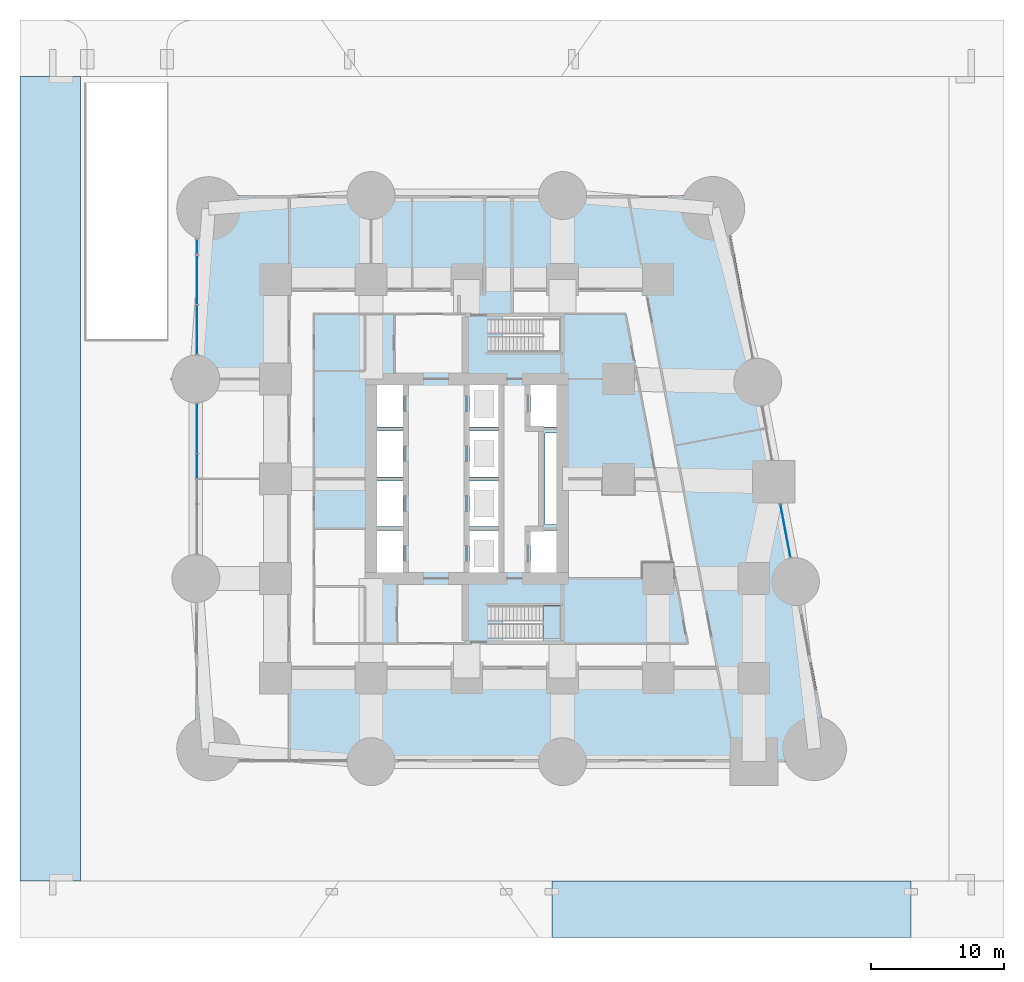
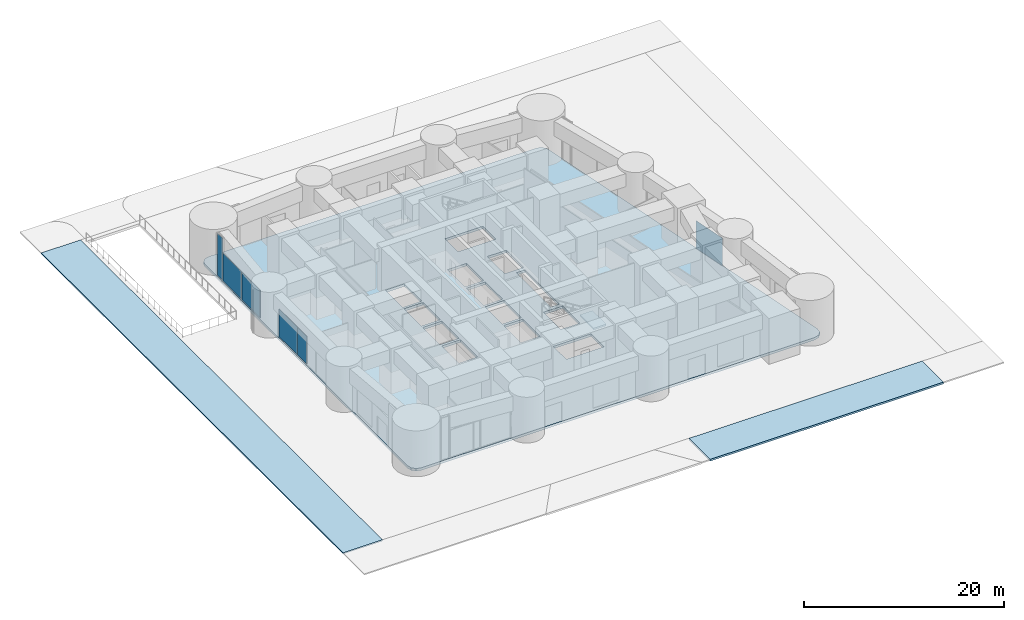
# One storey, part 7 of 16: 6 plates, 4 slabs, 5 elements without a shape of their own.
"""IFC4 building model written with IfcOpenShell, lengths in metres."""

from ifc_helpers import new_model, si_unit, direction, frame, origin, origin_2d, place, context, subcontext, project, spatial, polyline, rectangle, outline, extrude, material, layer, layer_set, type_object, element, aggregate, save


model = new_model("IFC4")

# Units and contexts
model_context = context("Model", 3, precision=1e-05, world=origin(), true_north=direction((0.0, 1.0)))
body_context = subcontext(model_context, "Body", "Model", "MODEL_VIEW")
ifc_project = project(units=[si_unit("LENGTHUNIT", "METRE"), si_unit("AREAUNIT", "SQUARE_METRE"), si_unit("VOLUMEUNIT", "CUBIC_METRE"), si_unit("PLANEANGLEUNIT", "RADIAN"), si_unit("MASSUNIT", "GRAM", prefix="KILO")], contexts=[model_context])

# Site, building, storey
site_placement = place(None, origin())
site = spatial("IfcSite", under=ifc_project, at=site_placement, CompositionType="ELEMENT")
building_placement = place(site_placement, origin())
building = spatial("IfcBuilding", under=site, at=building_placement, Name="Sheger Commons Tower", CompositionType="ELEMENT")
storey_placement = place(building_placement, origin())
storey = spatial("IfcBuildingStorey", under=building, at=storey_placement, Name="L00", CompositionType="ELEMENT", Elevation=0.0)

# Curtain wall, plate
ifc_material_1 = material(Name="Black aluminium curtain wall, dark tinted glazing", Category="aluminium")
curtain_wall_type = type_object("IfcCurtainWallType", Name="CURTAIN WALL CW1 SHOPFRONT", PredefinedType="USERDEFINED", material=ifc_material_1)
curtain_wall_1_placement = place(storey_placement, origin())
curtain_wall_1 = element("IfcCurtainWall", 1, at=curtain_wall_1_placement, inside=storey, type_object=curtain_wall_type, Name="Curtain Wall Cw1 Shopfront E1 L00", ObjectType="STICK CURTAIN WALL", PredefinedType="USERDEFINED")
ifc_material_2 = material(Name="Dark tinted double glazing, laminated safety glass", Category="glass")
ifc_layer_1 = layer(ifc_material_2, 0.0380859375)
ifc_layer_set_1 = layer_set([ifc_layer_1], Name="GLAZED PANEL 38")
plate_type = type_object("IfcPlateType", Name="GLAZED PANEL 38", PredefinedType="CURTAIN_PANEL", material=ifc_layer_set_1)
plate_1_placement = place(storey_placement, frame((45.56640625, 18.58349609375, 0.06494140625), z_axis=(0.0, 0.0, 1.0), x_axis=(-0.185717037026, 0.982603267936, 0.0)))
plate_1 = element("IfcPlate", 2, at=plate_1_placement, type_object=plate_type, Name="CW1 panel 1.1", PredefinedType="CURTAIN_PANEL", context=body_context, shape_type="SweptSolid", body=[
    extrude(rectangle(XDim=4.0537109375, YDim=0.0380859375, at=origin_2d()), origin(), (0.0, 0.0, 1.0), 3.3701171875),
])
aggregate(curtain_wall_1, [plate_1])

curtain_wall_2_placement = place(storey_placement, origin())
curtain_wall_2 = element("IfcCurtainWall", 3, at=curtain_wall_2_placement, inside=storey, type_object=curtain_wall_type, Name="Curtain Wall Cw1 Shopfront W1 L00", ObjectType="STICK CURTAIN WALL", PredefinedType="USERDEFINED")
plate_2_placement = place(storey_placement, frame((1.300048828125, 39.945556640625, 0.06494140625), z_axis=(0.0, 0.0, 1.0), x_axis=(0.0, -1.0, 0.0)))
plate_2 = element("IfcPlate", 4, at=plate_2_placement, type_object=plate_type, Name="CW1 panel 1.1", PredefinedType="CURTAIN_PANEL", context=body_context, shape_type="SweptSolid", body=[
    extrude(rectangle(XDim=1.054931640625, YDim=0.0380859375, at=origin_2d()), origin(), (0.0, 0.0, 1.0), 5.169921875),
])
aggregate(curtain_wall_2, [plate_2])

# Curtain wall, plates
curtain_wall_3_placement = place(storey_placement, origin())
curtain_wall_3 = element("IfcCurtainWall", 5, at=curtain_wall_3_placement, inside=storey, type_object=curtain_wall_type, Name="Curtain Wall Cw1 Shopfront W1 L00", ObjectType="STICK CURTAIN WALL", PredefinedType="USERDEFINED")
plate_3_placement = place(storey_placement, frame((1.300048828125, 37.44873046875, 0.06494140625), z_axis=(0.0, 0.0, 1.0), x_axis=(0.0, -1.0, 0.0)))
plate_3 = element("IfcPlate", 6, at=plate_3_placement, type_object=plate_type, Name="CW1 panel 1.1", PredefinedType="CURTAIN_PANEL", context=body_context, shape_type="SweptSolid", body=[
    extrude(rectangle(XDim=3.678466796875, YDim=0.0380859375, at=origin_2d()), origin(), (0.0, 0.0, 1.0), 3.3701171875),
])
plate_4_placement = place(storey_placement, frame((1.300048828125, 33.705322265625, 0.06494140625), z_axis=(0.0, 0.0, 1.0), x_axis=(0.0, -1.0, 0.0)))
plate_4 = element("IfcPlate", 7, at=plate_4_placement, type_object=plate_type, Name="CW1 panel 2.1", PredefinedType="CURTAIN_PANEL", context=body_context, shape_type="SweptSolid", body=[
    extrude(rectangle(XDim=3.678466796875, YDim=0.0380859375, at=origin_2d()), origin(), (0.0, 0.0, 1.0), 3.3701171875),
])
aggregate(curtain_wall_3, [plate_3, plate_4])

curtain_wall_4_placement = place(storey_placement, origin())
curtain_wall_4 = element("IfcCurtainWall", 8, at=curtain_wall_4_placement, inside=storey, type_object=curtain_wall_type, Name="Curtain Wall Cw1 Shopfront W1 L00", ObjectType="STICK CURTAIN WALL", PredefinedType="USERDEFINED")
plate_5_placement = place(storey_placement, frame((1.300048828125, 26.283203125, 0.06494140625), z_axis=(0.0, 0.0, 1.0), x_axis=(0.0, -1.0, 0.0)))
plate_5 = element("IfcPlate", 9, at=plate_5_placement, type_object=plate_type, Name="CW1 panel 1.1", PredefinedType="CURTAIN_PANEL", context=body_context, shape_type="SweptSolid", body=[
    extrude(rectangle(XDim=3.701416015625, YDim=0.0380859375, at=origin_2d()), origin(), (0.0, 0.0, 1.0), 3.3701171875),
])
plate_6_placement = place(storey_placement, frame((1.300048828125, 23.449951171875, 0.06494140625), z_axis=(0.0, 0.0, 1.0), x_axis=(0.0, -1.0, 0.0)))
plate_6 = element("IfcPlate", 10, at=plate_6_placement, type_object=plate_type, Name="CW1 panel 2.1", PredefinedType="CURTAIN_PANEL", context=body_context, shape_type="SweptSolid", body=[
    extrude(rectangle(XDim=1.8349609375, YDim=0.0380859375, at=origin_2d()), origin(), (0.0, 0.0, 1.0), 3.3701171875),
])
aggregate(curtain_wall_4, [plate_5, plate_6])

# Slabs
ifc_material_3 = material(Name="Reinforced concrete C32/40, brushed finish", Category="concrete")
ifc_layer_2 = layer(ifc_material_3, 0.22509765625)
ifc_layer_set_2 = layer_set([ifc_layer_2], Name="HARDSTANDING 225")
slab_type_1 = type_object("IfcSlabType", Name="HARDSTANDING 225", PredefinedType="USERDEFINED", material=ifc_layer_set_2)
slab_1_placement = place(storey_placement, frame((0.0, 0.0, -0.22509765625)))
element("IfcSlab", 11, at=slab_1_placement, inside=storey, type_object=slab_type_1, Name="Fire appliance hardstanding", ObjectType="PAVING", PredefinedType="USERDEFINED", context=body_context, shape_type="SweptSolid", body=[
    extrude(outline(polyline([(28.0, -12.0), (55.0, -12.0), (55.0, -7.75), (28.0, -7.75), (28.0, -12.0)])), origin(), (0.0, 0.0, 1.0), 0.22509765625),
])
ifc_material_4 = material(Name="Granite setts on a mortar bed", Category="masonry")
ifc_layer_3 = layer(ifc_material_4, 0.14990234375)
ifc_layer_set_3 = layer_set([ifc_layer_3], Name="PAVING 150")
slab_type_2 = type_object("IfcSlabType", Name="PAVING 150", PredefinedType="USERDEFINED", material=ifc_layer_set_3)
slab_2_placement = place(storey_placement, frame((0.0, 0.0, -0.14990234375)))
element("IfcSlab", 12, at=slab_2_placement, inside=storey, type_object=slab_type_2, Name="West concourse approach", ObjectType="PAVING", PredefinedType="USERDEFINED", context=body_context, shape_type="SweptSolid", body=[
    extrude(outline(polyline([(-12.0, -7.75), (-7.449951171875, -7.75), (-7.449951171875, 52.75), (-12.0, 52.75), (-12.0, -7.75)])), origin(), (0.0, 0.0, 1.0), 0.14990234375),
])
ifc_material_5 = material(Name="Concrete C35/45", Category="concrete")
ifc_layer_4 = layer(ifc_material_5, 0.300048828125)
ifc_layer_set_4 = layer_set([ifc_layer_4], Name="SLAB FLOOR 300")
slab_type_3 = type_object("IfcSlabType", Name="SLAB FLOOR 300", PredefinedType="FLOOR", material=ifc_layer_set_4)
slab_3_placement = place(storey_placement, frame((0.0, 0.0, -0.300048828125)))
element("IfcSlab", 13, at=slab_3_placement, inside=storey, type_object=slab_type_3, Name="L00 floor slab", PredefinedType="FLOOR", context=body_context, shape_type="SweptSolid", body=[
    extrude(outline(polyline([(2.199951171875, 1.199951171875), (47.7451171875, 1.199951171875), (48.298095703125, 1.366943359375), (48.6669921875, 1.81103515625), (48.72802734375, 2.385986328125), (41.05908203125, 42.986083984375), (40.873046875, 43.404052734375), (40.52099609375, 43.695068359375), (40.075927734375, 43.800048828125), (2.199951171875, 43.800048828125), (1.699951171875, 43.666015625), (1.333984375, 43.300048828125), (1.199951171875, 42.800048828125), (1.199951171875, 2.199951171875), (1.333984375, 1.699951171875), (1.699951171875, 1.333984375), (2.199951171875, 1.199951171875)]), holes=[polyline([(24.27001953125, 10.35009765625), (28.64990234375, 10.35009765625), (28.64990234375, 12.949951171875), (24.27099609375, 12.949951171875), (24.27099609375, 11.75), (24.27001953125, 11.75), (24.27001953125, 10.35009765625)]), polyline([(24.27099609375, 32.050048828125), (28.64990234375, 32.050048828125), (28.64990234375, 34.64990234375), (24.27001953125, 34.64990234375), (24.27001953125, 33.25), (24.27099609375, 33.25), (24.27099609375, 32.050048828125)]), polyline([(26.39990234375, 15.14990234375), (28.60009765625, 15.14990234375), (28.60009765625, 18.60009765625), (26.39990234375, 18.60009765625), (26.39990234375, 15.14990234375)]), polyline([(26.39990234375, 26.39990234375), (28.60009765625, 26.39990234375), (28.60009765625, 29.85009765625), (26.39990234375, 29.85009765625), (26.39990234375, 26.39990234375)]), polyline([(14.60009765625, 15.14990234375), (16.800048828125, 15.14990234375), (16.800048828125, 18.60009765625), (14.60009765625, 18.60009765625), (14.60009765625, 15.14990234375)]), polyline([(14.60009765625, 18.89990234375), (16.800048828125, 18.89990234375), (16.800048828125, 22.35009765625), (14.60009765625, 22.35009765625), (14.60009765625, 18.89990234375)]), polyline([(14.60009765625, 22.64990234375), (16.800048828125, 22.64990234375), (16.800048828125, 26.10009765625), (14.60009765625, 26.10009765625), (14.60009765625, 22.64990234375)]), polyline([(14.60009765625, 26.39990234375), (16.800048828125, 26.39990234375), (16.800048828125, 29.85009765625), (14.60009765625, 29.85009765625), (14.60009765625, 26.39990234375)]), polyline([(21.800048828125, 15.14990234375), (24.0, 15.14990234375), (24.0, 18.60009765625), (21.800048828125, 18.60009765625), (21.800048828125, 15.14990234375)]), polyline([(21.800048828125, 18.89990234375), (24.0, 18.89990234375), (24.0, 22.35009765625), (21.800048828125, 22.35009765625), (21.800048828125, 18.89990234375)]), polyline([(21.800048828125, 22.64990234375), (24.0, 22.64990234375), (24.0, 26.10009765625), (21.800048828125, 26.10009765625), (21.800048828125, 22.64990234375)]), polyline([(21.800048828125, 26.39990234375), (24.0, 26.39990234375), (24.0, 29.85009765625), (21.800048828125, 29.85009765625), (21.800048828125, 26.39990234375)]), polyline([(27.5, 19.050048828125), (28.5, 19.050048828125), (28.5, 25.949951171875), (27.5, 25.949951171875), (27.5, 19.050048828125)])]), origin(), (0.0, 0.0, 1.0), 0.300048828125),
])

# Stair, slab
ifc_material_6 = material(Name="Concrete C35/45", Category="concrete")
stair_type = type_object("IfcStairType", Name="HALF-TURN STAIR 1200 RISE 5600", PredefinedType="HALF_TURN_STAIR", material=ifc_material_6)
stair_placement = place(storey_placement, origin())
stair = element("IfcStair", 14, at=stair_placement, inside=storey, type_object=stair_type, Name="Stair S1 L00", PredefinedType="HALF_TURN_STAIR")
ifc_material_7 = material(Name="Concrete C35/45", Category="concrete")
ifc_layer_5 = layer(ifc_material_7, 0.199951171875)
ifc_layer_set_5 = layer_set([ifc_layer_5], Name="STAIR LANDING 200")
slab_type_4 = type_object("IfcSlabType", Name="STAIR LANDING 200", PredefinedType="LANDING", material=ifc_layer_set_5)
slab_4_placement = place(storey_placement, frame((0.0, 0.0, 2.60009765625)))
slab_4 = element("IfcSlab", 15, at=slab_4_placement, type_object=slab_type_4, Name="S1 landing 1", PredefinedType="LANDING", context=body_context, shape_type="SweptSolid", body=[
    extrude(outline(polyline([(27.35009765625, 10.199951171875), (28.800048828125, 10.199951171875), (28.800048828125, 12.949951171875), (27.35009765625, 12.949951171875), (27.35009765625, 10.199951171875)])), origin(), (0.0, 0.0, 1.0), 0.199951171875),
])
aggregate(stair, [slab_4])

save(model, "model.ifc")
